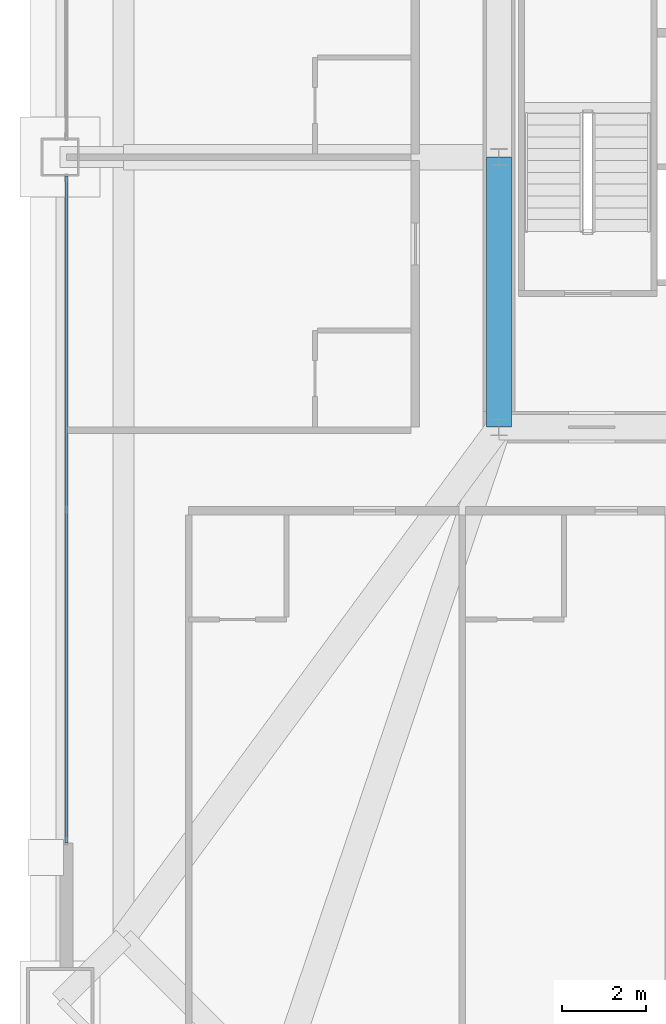
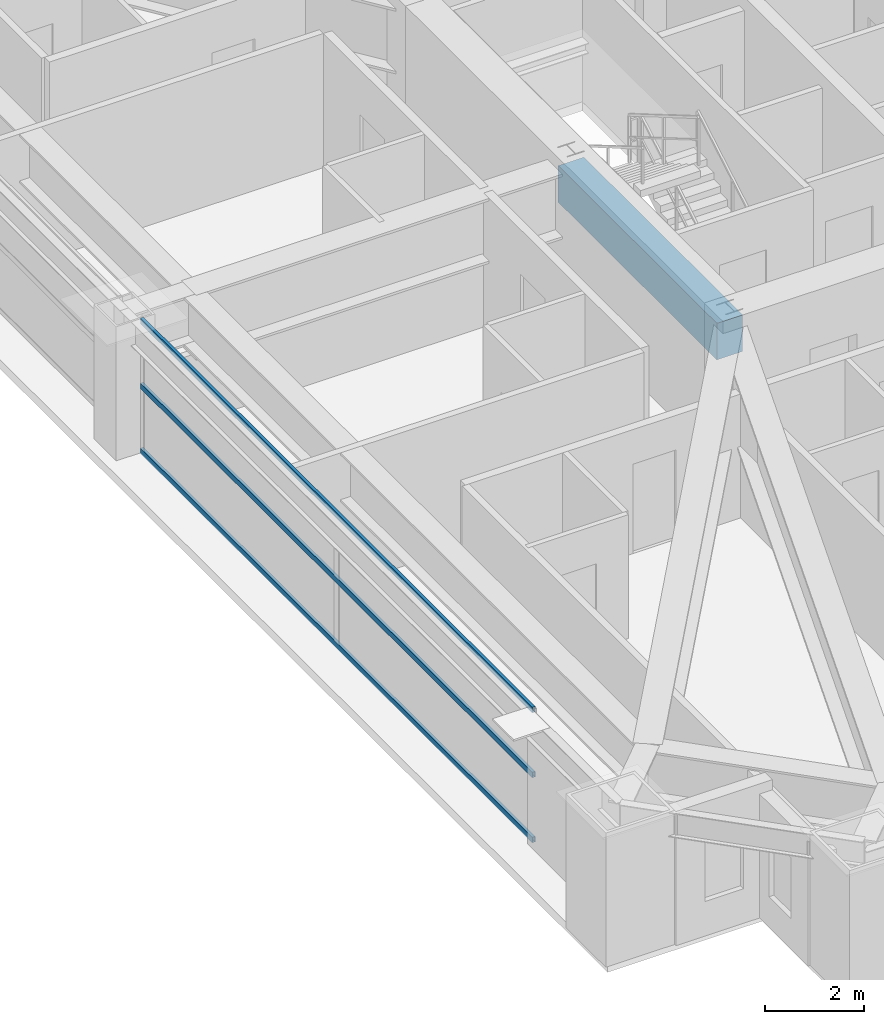
# One storey, part 13 of 45: 3 members, 1 beam, 1 element without a shape of its own.
"""IFC4 building model written with IfcOpenShell, lengths in metres."""

from ifc_helpers import new_model, si_unit, direction, frame, origin, origin_2d, place, context, subcontext, project, spatial, rectangle, hollow_rectangle, extrude, source, transform, mapped, material, layer, layer_set, material_profile, profile_set, type_object, element, aggregate, save


model = new_model("IFC4")

# Units and contexts
model_context = context("Model", 3, precision=1e-05, world=origin(), true_north=direction((0.0, 1.0)))
body_context = subcontext(model_context, "Body", "Model", "MODEL_VIEW")
ifc_project = project(units=[si_unit("LENGTHUNIT", "METRE"), si_unit("AREAUNIT", "SQUARE_METRE"), si_unit("VOLUMEUNIT", "CUBIC_METRE"), si_unit("PLANEANGLEUNIT", "RADIAN"), si_unit("MASSUNIT", "GRAM", prefix="KILO"), si_unit("THERMODYNAMICTEMPERATUREUNIT", "KELVIN"), si_unit("POWERUNIT", "WATT")], contexts=[model_context])

# Site, building, storey
site_placement = place(None, origin())
site = spatial("IfcSite", under=ifc_project, at=site_placement, CompositionType="ELEMENT")
building_placement = place(site_placement, origin())
building = spatial("IfcBuilding", under=site, at=building_placement, Name="Yuzanri Waterfront Tower", CompositionType="ELEMENT")
storey_placement = place(building_placement, frame((0.0, 0.0, 163.199951171875)))
storey = spatial("IfcBuildingStorey", under=building, at=storey_placement, Name="L43", CompositionType="ELEMENT", Elevation=163.199951171875)

# Beam
ifc_material_1 = material(Name="Concrete C60", Category="concrete")
ifc_material_profile_1 = material_profile(ifc_material_1, rectangle(XDim=0.60009765625, YDim=0.89990234375, at=origin_2d()), Name="RC 600x900")
ifc_profile_set_1 = profile_set([ifc_material_profile_1], Name="Concrete C60")
beam_type = type_object("IfcBeamType", Name="Core Coupling Lintel Concrete C60 600x900", PredefinedType="LINTEL", material=ifc_profile_set_1)
shared_shape_1 = source(origin(), body_context, "Body", "SweptSolid", [
    extrude(rectangle(XDim=0.60009765625, YDim=0.89990234375, at=origin_2d()), origin(), (0.0, 0.0, 1.0), 6.400146484375),
])
beam_placement = place(storey_placement, frame((23.800048828125, 19.39990234375, 2.85009765625), z_axis=(0.0, 1.0, 0.0), x_axis=(-1.0, 0.0, 0.0)))
element("IfcBeam", 1, at=beam_placement, inside=storey, type_object=beam_type, Name="L43 Core Tie Beam CW1", PredefinedType="LINTEL", context=body_context, shape_type="MappedRepresentation", body=[
    mapped(shared_shape_1, transform((0.0, 0.0, 0.0), scale=1.0)),
])

# Curtain wall, members
ifc_material_2 = material(Name="Anodized Architectural Bronze", Category="metal")
ifc_layer = layer(ifc_material_2, 0.159912109375)
ifc_layer_set = layer_set([ifc_layer], Name="Anodized Architectural Bronze")
curtain_wall_type = type_object("IfcCurtainWallType", Name="Anodized Bronze Hotel Upper-Tier Solar-Control Unitized Curtain Wall 7800", PredefinedType="NOTDEFINED", material=ifc_layer_set)
curtain_wall_placement = place(storey_placement, origin())
curtain_wall = element("IfcCurtainWall", 2, at=curtain_wall_placement, inside=storey, type_object=curtain_wall_type, Name="L43 Curtain Wall CW-L43-WL", PredefinedType="NOTDEFINED")
ifc_material_3 = material(Name="Anodized Architectural Bronze", Category="metal")
ifc_material_profile_2 = material_profile(ifc_material_3, hollow_rectangle(XDim=0.070068359375, YDim=0.135009765625, WallThickness=0.00341796875, at=origin_2d()), Name="CWT 70x135")
ifc_profile_set_2 = profile_set([ifc_material_profile_2], Name="Anodized Architectural Bronze")
member_type = type_object("IfcMemberType", Name="Anodized Bronze Standard Curtain-Wall Transom 70x135", PredefinedType="USERDEFINED", material=ifc_profile_set_2)
shared_shape_2 = source(origin(), body_context, "Body", "SweptSolid", [
    extrude(hollow_rectangle(XDim=0.070068359375, YDim=0.135009765625, WallThickness=0.00341796875, at=origin_2d()), origin(), (0.0, 0.0, 1.0), 15.800048828125),
])
member_1_placement = place(storey_placement, frame((13.550048828125, 9.550048828125, 0.050048828125), z_axis=(0.0, 1.0, 0.0), x_axis=(-1.0, 0.0, 0.0)))
member_1 = element("IfcMember", 3, at=member_1_placement, type_object=member_type, Name="CW-L43-WL Transom 1", ObjectType="TRANSOM", PredefinedType="USERDEFINED", context=body_context, shape_type="MappedRepresentation", body=[
    mapped(shared_shape_2, transform((0.0, 0.0, 0.0), scale=1.0)),
])
member_2_placement = place(storey_placement, frame((13.550048828125, 9.550048828125, 1.650146484375), z_axis=(0.0, 1.0, 0.0), x_axis=(-1.0, 0.0, 0.0)))
member_2 = element("IfcMember", 4, at=member_2_placement, type_object=member_type, Name="CW-L43-WL Transom 2", ObjectType="TRANSOM", PredefinedType="USERDEFINED", context=body_context, shape_type="MappedRepresentation", body=[
    mapped(shared_shape_2, transform((0.0, 0.0, 0.0), scale=1.0)),
])
member_3_placement = place(storey_placement, frame((13.550048828125, 9.550048828125, 3.25), z_axis=(0.0, 1.0, 0.0), x_axis=(-1.0, 0.0, 0.0)))
member_3 = element("IfcMember", 5, at=member_3_placement, type_object=member_type, Name="CW-L43-WL Transom 3", ObjectType="TRANSOM", PredefinedType="USERDEFINED", context=body_context, shape_type="MappedRepresentation", body=[
    mapped(shared_shape_2, transform((0.0, 0.0, 0.0), scale=1.0)),
])
aggregate(curtain_wall, [member_1, member_2, member_3])

save(model, "model.ifc")
